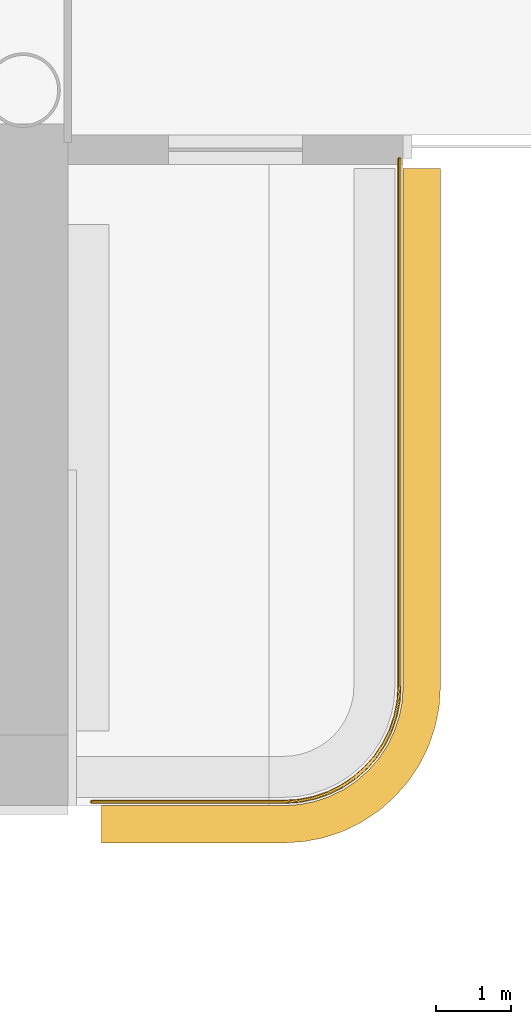
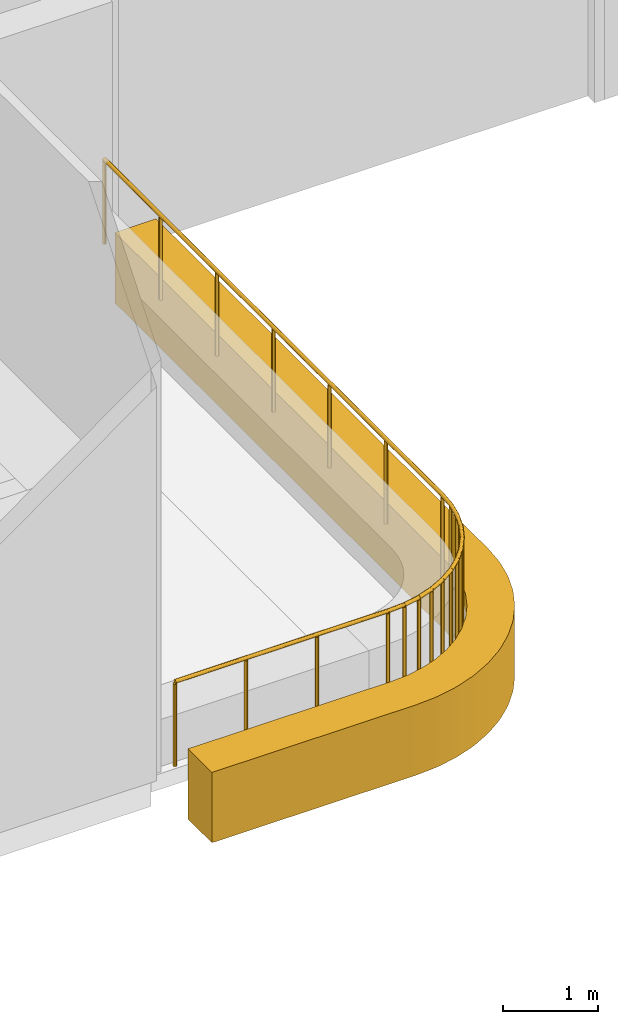
# One storey, part 20 of 21: 1 covering, 1 railing.
"""IFC4 building model written with IfcOpenShell, lengths in metres."""

import ifcopenshell
import ifcopenshell.guid

model = None  # the IFC model being written
_history = None  # IfcOwnerHistory: only IFC2X3 demands one
_inside = {}  # id of a spatial element -> (the spatial element, [elements in it])
_under = {}  # id of a project, library or spatial element -> (it, [spatial elements below it])
_declared = {}  # id of a project -> (the project, [libraries it declares])
_typed = {}  # id of a type object -> (the type object, [elements of that type])
_made_of = {}  # id of a material, layer set ... -> (it, [elements and type objects made of it])


def new_model(schema):
    """Start an empty IFC model of exactly this schema.

    Asked for "IFC4X3", IfcOpenShell would pick the latest addendum, in which some entities
    have other attributes; the version numbers below select the first issue.
    IFC2X3 requires an IfcOwnerHistory on every rooted entity: one is made here for all.
    """
    global model, _history
    if schema == "IFC4X3":
        model = ifcopenshell.file(schema_version=(4, 3, 0, 0))
    else:
        model = ifcopenshell.file(schema=schema)
    _inside.clear()
    _under.clear()
    _declared.clear()
    _typed.clear()
    _made_of.clear()
    _history = None
    if model.schema == "IFC2X3":
        org = make("IfcOrganization", Name="unknown")
        user = make(
            "IfcPersonAndOrganization",
            ThePerson=make("IfcPerson", FamilyName="unknown"),
            TheOrganization=org,
        )
        app = make(
            "IfcApplication",
            ApplicationDeveloper=org,
            Version="unknown",
            ApplicationFullName="unknown",
            ApplicationIdentifier="unknown",
        )
        _history = make(
            "IfcOwnerHistory",
            OwningUser=user,
            OwningApplication=app,
            ChangeAction="ADDED",
            CreationDate=0,
        )
    return model


def make(cls, **values):
    """One entity of the class cls with the attributes given. An attribute that is None is left unset."""
    return model.create_entity(
        cls, **{name: value for name, value in values.items() if value is not None}
    )


def rooted(cls, **values):
    """An entity with a GlobalId (a new one), such as an element, a storey or a relation."""
    return make(cls, GlobalId=ifcopenshell.guid.new(), OwnerHistory=_history, **values)


def si_unit(unit_type, name, prefix=None):
    """IfcSIUnit, for example si_unit("LENGTHUNIT", "METRE", prefix="MILLI")."""
    return make("IfcSIUnit", UnitType=unit_type, Prefix=prefix, Name=name)


def assignment(units):
    """IfcUnitAssignment: the units of a project."""
    return None if units is None else make("IfcUnitAssignment", Units=units)


def point(xyz):
    """IfcCartesianPoint."""
    return None if xyz is None else make("IfcCartesianPoint", Coordinates=xyz)


def direction(xyz):
    """IfcDirection."""
    return None if xyz is None else make("IfcDirection", DirectionRatios=xyz)


def frame(location, z_axis=None, x_axis=None):
    """IfcAxis2Placement3D, a coordinate frame: its origin and axes. An axis left out is left unset."""
    return make(
        "IfcAxis2Placement3D",
        Location=point(location),
        Axis=direction(z_axis),
        RefDirection=direction(x_axis),
    )


def frame_2d(location, x_axis=None):
    """IfcAxis2Placement2D, a coordinate frame in the plane: its origin and x axis."""
    return make(
        "IfcAxis2Placement2D", Location=point(location), RefDirection=direction(x_axis)
    )


def origin():
    """The frame at (0, 0, 0) with its axes left unset."""
    return frame((0.0, 0.0, 0.0))


def origin_2d():
    """The frame at (0, 0) in the plane with its x axis left unset."""
    return frame_2d((0.0, 0.0))


def place(relative_to, where):
    """IfcLocalPlacement: puts the frame where relative to a parent placement (None: the world)."""
    return make(
        "IfcLocalPlacement", PlacementRelTo=relative_to, RelativePlacement=where
    )


def context(
    kind, dimensions, precision=None, world=None, true_north=None, identifier=None
):
    """IfcGeometricRepresentationContext, for example the 3D "Model" context."""
    return make(
        "IfcGeometricRepresentationContext",
        ContextIdentifier=identifier,
        ContextType=kind,
        CoordinateSpaceDimension=dimensions,
        Precision=precision,
        WorldCoordinateSystem=world,
        TrueNorth=true_north,
    )


def subcontext(parent, identifier, kind, view, scale=None):
    """IfcGeometricRepresentationSubContext, for example "Body" below "Model"."""
    return make(
        "IfcGeometricRepresentationSubContext",
        ContextIdentifier=identifier,
        ContextType=kind,
        ParentContext=parent,
        TargetScale=scale,
        TargetView=view,
    )


def project(units=None, contexts=None):
    """IfcProject with its units and contexts."""
    return rooted(
        "IfcProject",
        Name="project",
        RepresentationContexts=contexts,
        UnitsInContext=assignment(units),
    )


def spatial(cls, under=None, at=None, **own):
    """A site, building, storey or space (cls), placed at a placement, below another one or the project."""
    s = rooted(cls, ObjectPlacement=at, **own)
    if under is not None:
        _under.setdefault(under.id(), (under, []))[1].append(s)
    return s


def polyline(points):
    """IfcPolyline through the points."""
    return make("IfcPolyline", Points=[point(p) for p in points])


def profile(cls, at=None, kind="AREA", **sizes):
    """A parametric profile (cls). Its sizes go by their IFC names, for example OverallWidth=200.0."""
    return make(cls, ProfileType=kind, Position=at, **sizes)


def circle(**sizes):
    """IfcCircleProfileDef."""
    return profile("IfcCircleProfileDef", **sizes)


def outline(outer, holes=None, kind="AREA"):
    """IfcArbitraryClosedProfileDef: a profile drawn as a closed curve; with holes, ...WithVoids."""
    if holes is None:
        return make("IfcArbitraryClosedProfileDef", ProfileType=kind, OuterCurve=outer)
    return make(
        "IfcArbitraryProfileDefWithVoids",
        ProfileType=kind,
        OuterCurve=outer,
        InnerCurves=holes,
    )


def extrude(swept, where, along, depth):
    """IfcExtrudedAreaSolid: the profile swept, set in the frame where, extruded along a direction by depth."""
    return make(
        "IfcExtrudedAreaSolid",
        SweptArea=swept,
        Position=where,
        ExtrudedDirection=direction(along),
        Depth=depth,
    )


def shape(context_of_items, identifier, shape_type, items):
    """IfcShapeRepresentation: the items that make up one representation, for example the "Body"."""
    return make(
        "IfcShapeRepresentation",
        ContextOfItems=context_of_items,
        RepresentationIdentifier=identifier,
        RepresentationType=shape_type,
        Items=items,
    )


def material(Name=None, Category=None):
    """IfcMaterial."""
    return make("IfcMaterial", Name=Name, Category=Category)


def layer(
    of_material, thickness, ventilated=None, Name=None, Category=None, Priority=None
):
    """IfcMaterialLayer: one layer of a wall or slab, of a material (None: an air gap)."""
    return make(
        "IfcMaterialLayer",
        Material=of_material,
        LayerThickness=thickness,
        IsVentilated=ventilated,
        Name=Name,
        Category=Category,
        Priority=Priority,
    )


def layer_set(layers, Name=None):
    """IfcMaterialLayerSet."""
    return make("IfcMaterialLayerSet", MaterialLayers=layers, LayerSetName=Name)


def made_of(thing, what):
    """Note that an element or type object is made of a material, layer set ...; save() writes the relation."""
    if what is not None:
        _made_of.setdefault(what.id(), (what, []))[1].append(thing)
    return thing


def type_object(cls, material=None, **own):
    """A type object (cls), such as IfcWallType, which elements share."""
    return made_of(rooted(cls, **own), material)


def element(
    cls,
    number,
    at=None,
    inside=None,
    cuts=None,
    type_object=None,
    material=None,
    context=None,
    identifier="Body",
    shape_type=None,
    held_by="IfcProductDefinitionShape",
    body=None,
    shapes=None,
    **own,
):
    """One element of the class cls, such as IfcWall. Its Tag is "e" and its number.

    at: its placement. inside: the storey or other place that contains it. cuts: it is an
    opening in that element (IfcRelVoidsElement). A single representation is given by context,
    identifier, shape_type and body (its items); several are given by shapes. held_by: the class
    of the entity that holds the representations. save() writes the other relations.
    """
    e = rooted(cls, Tag="e%d" % number, ObjectPlacement=at, **own)
    if body is not None:
        shapes = [shape(context, identifier, shape_type, body)]
    if shapes is not None:
        e.Representation = make(held_by, Representations=shapes)
    if inside is not None:
        _inside.setdefault(inside.id(), (inside, []))[1].append(e)
    if cuts is not None:
        rooted(
            "IfcRelVoidsElement", RelatingBuildingElement=cuts, RelatedOpeningElement=e
        )
    if type_object is not None:
        _typed.setdefault(type_object.id(), (type_object, []))[1].append(e)
    return made_of(e, material)


def aggregate(whole, parts):
    """IfcRelAggregates: a whole, such as a stair, and the parts it consists of."""
    return rooted("IfcRelAggregates", RelatingObject=whole, RelatedObjects=parts)


def save(model, path):
    """Write the relations noted so far, then the file.

    IfcRelAggregates (storeys below a building ...), IfcRelContainedInSpatialStructure (elements
    in a storey), IfcRelDefinesByType, IfcRelAssociatesMaterial and IfcRelDeclares: one each for
    every whole, place, type object, material and project.
    """
    for whole, parts in _under.values():
        aggregate(whole, parts)
    for where, things in _inside.values():
        rooted(
            "IfcRelContainedInSpatialStructure",
            RelatedElements=things,
            RelatingStructure=where,
        )
    for kind, things in _typed.values():
        rooted("IfcRelDefinesByType", RelatedObjects=things, RelatingType=kind)
    for what, things in _made_of.values():
        rooted("IfcRelAssociatesMaterial", RelatedObjects=things, RelatingMaterial=what)
    for by, libraries in _declared.values():
        rooted("IfcRelDeclares", RelatingContext=by, RelatedDefinitions=libraries)
    model.write(path)


model = new_model("IFC4")

# Units and contexts
model_context = context("Model", 3, precision=1e-05, world=origin(), true_north=direction((0.0, 1.0)))
body_context = subcontext(model_context, "Body", "Model", "MODEL_VIEW")
ifc_project = project(units=[si_unit("LENGTHUNIT", "METRE"), si_unit("AREAUNIT", "SQUARE_METRE"), si_unit("VOLUMEUNIT", "CUBIC_METRE"), si_unit("PLANEANGLEUNIT", "RADIAN"), si_unit("MASSUNIT", "GRAM", prefix="KILO")], contexts=[model_context])

# Site, building, storey
site_placement = place(None, origin())
site = spatial("IfcSite", under=ifc_project, at=site_placement, CompositionType="ELEMENT")
building_placement = place(site_placement, origin())
building = spatial("IfcBuilding", under=site, at=building_placement, Name="Ipe Terrace Towers", CompositionType="ELEMENT")
storey_placement = place(building_placement, frame((0.0, 0.0, 117.39990234375)))
storey = spatial("IfcBuildingStorey", under=building, at=storey_placement, Name="L32", CompositionType="ELEMENT", Elevation=117.39990234375)

# Railing
ifc_material_1 = material(Name="Stainless steel S316", Category="steel")
railing_type = type_object("IfcRailingType", Name="GUARD 1100", PredefinedType="BALUSTRADE", material=ifc_material_1)
railing_placement = place(storey_placement, frame((43.070068359375, -15.699951171875, -0.02001953125)))
element("IfcRailing", 1, at=railing_placement, inside=storey, type_object=railing_type, Name="guard", PredefinedType="BALUSTRADE", context=body_context, shape_type="SweptSolid", body=[
    extrude(circle(Radius=0.02392578125, at=origin_2d()), frame((0.0, 0.0, 1.076171875), z_axis=(1.0, 0.0, 0.0), x_axis=(0.0, 1.0, 0.0)), (0.0, 0.0, 1.0), 2.577880859375),
    extrude(circle(Radius=0.02392578125, at=origin_2d()), frame((2.577880859375, 0.0, 1.076171875), z_axis=(0.997996439513, 0.063270109204, 0.0), x_axis=(-0.063270109204, 0.997996439513, 0.0)), (0.0, 0.0, 1.0), 0.20458984375),
    extrude(circle(Radius=0.02392578125, at=origin_2d()), frame((2.781982421875, 0.012939453125, 1.076171875), z_axis=(0.980348670139, 0.197272615832, 0.0), x_axis=(-0.197272615832, 0.980348670139, 0.0)), (0.0, 0.0, 1.0), 0.202880859375),
    extrude(circle(Radius=0.02392578125, at=origin_2d()), frame((2.98095703125, 0.052978515625, 1.076171875), z_axis=(0.947227229435, 0.320562904618, 0.0), x_axis=(-0.320562904618, 0.947227229435, 0.0)), (0.0, 0.0, 1.0), 0.20263671875),
    extrude(circle(Radius=0.02392578125, at=origin_2d()), frame((3.1728515625, 0.117919921875, 1.076171875), z_axis=(0.896341374877, 0.443364567466, 0.0), x_axis=(-0.443364567466, 0.896341374877, 0.0)), (0.0, 0.0, 1.0), 0.203125),
    extrude(circle(Radius=0.02392578125, at=origin_2d()), frame((3.35498046875, 0.2080078125, 1.076171875), z_axis=(0.833344910936, 0.552753344103, 0.0), x_axis=(-0.552753344103, 0.833344910936, 0.0)), (0.0, 0.0, 1.0), 0.20263671875),
    extrude(circle(Radius=0.02392578125, at=origin_2d()), frame((3.52392578125, 0.320068359375, 1.076171875), z_axis=(0.750856952854, 0.660464863827, 0.0), x_axis=(-0.660464863827, 0.750856952854, 0.0)), (0.0, 0.0, 1.0), 0.20263671875),
    extrude(circle(Radius=0.02392578125, at=origin_2d()), frame((3.676025390625, 0.453857421875, 1.076171875), z_axis=(0.660464863827, 0.750856952854, 0.0), x_axis=(-0.750856952854, 0.660464863827, 0.0)), (0.0, 0.0, 1.0), 0.20263671875),
    extrude(circle(Radius=0.02392578125, at=origin_2d()), frame((3.809814453125, 0.60595703125, 1.076171875), z_axis=(0.552753344103, 0.833344910936, 0.0), x_axis=(-0.833344910936, 0.552753344103, 0.0)), (0.0, 0.0, 1.0), 0.20263671875),
    extrude(circle(Radius=0.02392578125, at=origin_2d()), frame((3.921875, 0.77490234375, 1.076171875), z_axis=(0.443364567466, 0.896341374877, 0.0), x_axis=(-0.896341374877, 0.443364567466, 0.0)), (0.0, 0.0, 1.0), 0.203125),
    extrude(circle(Radius=0.02392578125, at=origin_2d()), frame((4.011962890625, 0.95703125, 1.076171875), z_axis=(0.320562904618, 0.947227229435, 0.0), x_axis=(-0.947227229435, 0.320562904618, 0.0)), (0.0, 0.0, 1.0), 0.20263671875),
    extrude(circle(Radius=0.02392578125, at=origin_2d()), frame((4.076904296875, 1.14892578125, 1.076171875), z_axis=(0.197272615832, 0.980348670139, 0.0), x_axis=(-0.980348670139, 0.197272615832, 0.0)), (0.0, 0.0, 1.0), 0.202880859375),
    extrude(circle(Radius=0.02392578125, at=origin_2d()), frame((4.116943359375, 1.347900390625, 1.076171875), z_axis=(0.063270109204, 0.997996439513, 0.0), x_axis=(-0.997996439513, 0.063270109204, 0.0)), (0.0, 0.0, 1.0), 0.20458984375),
    extrude(circle(Radius=0.02392578125, at=origin_2d()), frame((4.1298828125, 1.552001953125, 1.076171875), z_axis=(0.0, 1.0, 0.0), x_axis=(-1.0, 0.0, 0.0)), (0.0, 0.0, 1.0), 7.077880859375),
    extrude(circle(Radius=0.02099609375, at=origin_2d()), origin(), (0.0, 0.0, 1.0), 1.052001953125),
    extrude(circle(Radius=0.02099609375, at=origin_2d()), frame((0.859375, 0.0, 0.0)), (0.0, 0.0, 1.0), 1.052001953125),
    extrude(circle(Radius=0.02099609375, at=origin_2d()), frame((1.718505859375, 0.0, 0.0)), (0.0, 0.0, 1.0), 1.052001953125),
    extrude(circle(Radius=0.02099609375, at=origin_2d()), frame((2.577880859375, 0.0, 0.0)), (0.0, 0.0, 1.0), 1.052001953125),
    extrude(circle(Radius=0.02099609375, at=origin_2d()), frame((2.781982421875, 0.012939453125, 0.0)), (0.0, 0.0, 1.0), 1.052001953125),
    extrude(circle(Radius=0.02099609375, at=origin_2d()), frame((2.98095703125, 0.052978515625, 0.0)), (0.0, 0.0, 1.0), 1.052001953125),
    extrude(circle(Radius=0.02099609375, at=origin_2d()), frame((3.1728515625, 0.117919921875, 0.0)), (0.0, 0.0, 1.0), 1.052001953125),
    extrude(circle(Radius=0.02099609375, at=origin_2d()), frame((3.35498046875, 0.2080078125, 0.0)), (0.0, 0.0, 1.0), 1.052001953125),
    extrude(circle(Radius=0.02099609375, at=origin_2d()), frame((3.52392578125, 0.320068359375, 0.0)), (0.0, 0.0, 1.0), 1.052001953125),
    extrude(circle(Radius=0.02099609375, at=origin_2d()), frame((3.676025390625, 0.453857421875, 0.0)), (0.0, 0.0, 1.0), 1.052001953125),
    extrude(circle(Radius=0.02099609375, at=origin_2d()), frame((3.809814453125, 0.60595703125, 0.0)), (0.0, 0.0, 1.0), 1.052001953125),
    extrude(circle(Radius=0.02099609375, at=origin_2d()), frame((3.921875, 0.77490234375, 0.0)), (0.0, 0.0, 1.0), 1.052001953125),
    extrude(circle(Radius=0.02099609375, at=origin_2d()), frame((4.011962890625, 0.95703125, 0.0)), (0.0, 0.0, 1.0), 1.052001953125),
    extrude(circle(Radius=0.02099609375, at=origin_2d()), frame((4.076904296875, 1.14892578125, 0.0)), (0.0, 0.0, 1.0), 1.052001953125),
    extrude(circle(Radius=0.02099609375, at=origin_2d()), frame((4.116943359375, 1.347900390625, 0.0)), (0.0, 0.0, 1.0), 1.052001953125),
    extrude(circle(Radius=0.02099609375, at=origin_2d()), frame((4.1298828125, 1.552001953125, 0.0)), (0.0, 0.0, 1.0), 1.052001953125),
    extrude(circle(Radius=0.02099609375, at=origin_2d()), frame((4.1298828125, 2.731689453125, 0.0)), (0.0, 0.0, 1.0), 1.052001953125),
    extrude(circle(Radius=0.02099609375, at=origin_2d()), frame((4.1298828125, 3.911376953125, 0.0)), (0.0, 0.0, 1.0), 1.052001953125),
    extrude(circle(Radius=0.02099609375, at=origin_2d()), frame((4.1298828125, 5.0908203125, 0.0)), (0.0, 0.0, 1.0), 1.052001953125),
    extrude(circle(Radius=0.02099609375, at=origin_2d()), frame((4.1298828125, 6.2705078125, 0.0)), (0.0, 0.0, 1.0), 1.052001953125),
    extrude(circle(Radius=0.02099609375, at=origin_2d()), frame((4.1298828125, 7.4501953125, 0.0)), (0.0, 0.0, 1.0), 1.052001953125),
    extrude(circle(Radius=0.02099609375, at=origin_2d()), frame((4.1298828125, 8.6298828125, 0.0)), (0.0, 0.0, 1.0), 1.052001953125),
])

# Covering
ifc_material_2 = material(Name="Concrete C50/60 precast, buff finish", Category="concrete")
ifc_layer = layer(ifc_material_2, 0.5)
ifc_layer_set = layer_set([ifc_layer], Name="STONE EDGE BAND 500 x 900")
covering_type = type_object("IfcCoveringType", Name="STONE EDGE BAND 500 x 900", PredefinedType="CLADDING", material=ifc_layer_set)
covering_placement = place(storey_placement, frame((0.0, 0.0, -0.719970703125)))
element("IfcCovering", 2, at=covering_placement, inside=storey, type_object=covering_type, Name="stone edge band", PredefinedType="CLADDING", context=body_context, shape_type="SweptSolid", body=[
    extrude(outline(polyline([(47.75, -14.14990234375), (47.75, -7.199951171875), (47.25, -7.199951171875), (47.25, -14.14990234375), (47.236083984375, -14.35888671875), (47.195068359375, -14.56396484375), (47.1279296875, -14.761962890625), (47.035888671875, -14.949951171875), (46.9189453125, -15.1240234375), (46.781005859375, -15.281005859375), (46.6240234375, -15.4189453125), (46.449951171875, -15.535888671875), (46.261962890625, -15.6279296875), (46.06396484375, -15.695068359375), (45.85888671875, -15.736083984375), (45.64990234375, -15.75), (43.199951171875, -15.75), (43.199951171875, -16.25), (45.64990234375, -16.25), (45.68310546875, -16.2490234375), (45.89208984375, -16.235107421875), (45.9560546875, -16.22705078125), (46.162109375, -16.18603515625), (46.22509765625, -16.1689453125), (46.423095703125, -16.10205078125), (46.48291015625, -16.076904296875), (46.6708984375, -15.98388671875), (46.72802734375, -15.950927734375), (46.902099609375, -15.8349609375), (46.9541015625, -15.794921875), (47.111083984375, -15.656982421875), (47.156982421875, -15.611083984375), (47.294921875, -15.4541015625), (47.3349609375, -15.402099609375), (47.450927734375, -15.22802734375), (47.48388671875, -15.1708984375), (47.576904296875, -14.98291015625), (47.60205078125, -14.923095703125), (47.6689453125, -14.72509765625), (47.68603515625, -14.662109375), (47.72705078125, -14.4560546875), (47.735107421875, -14.39208984375), (47.7490234375, -14.18310546875), (47.75, -14.14990234375)])), origin(), (0.0, 0.0, 1.0), 0.900146484375),
])

save(model, "model.ifc")
